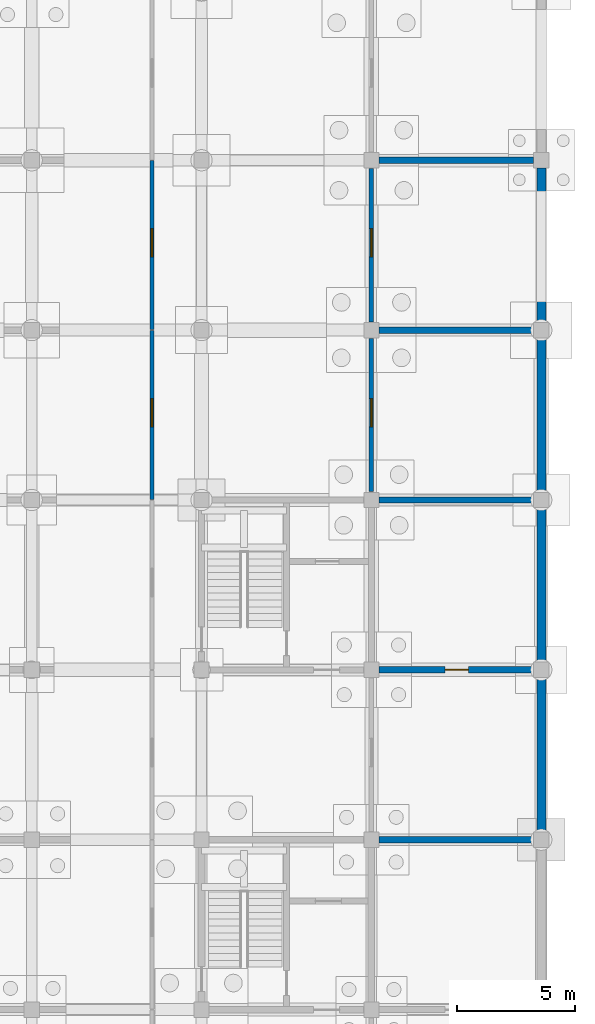
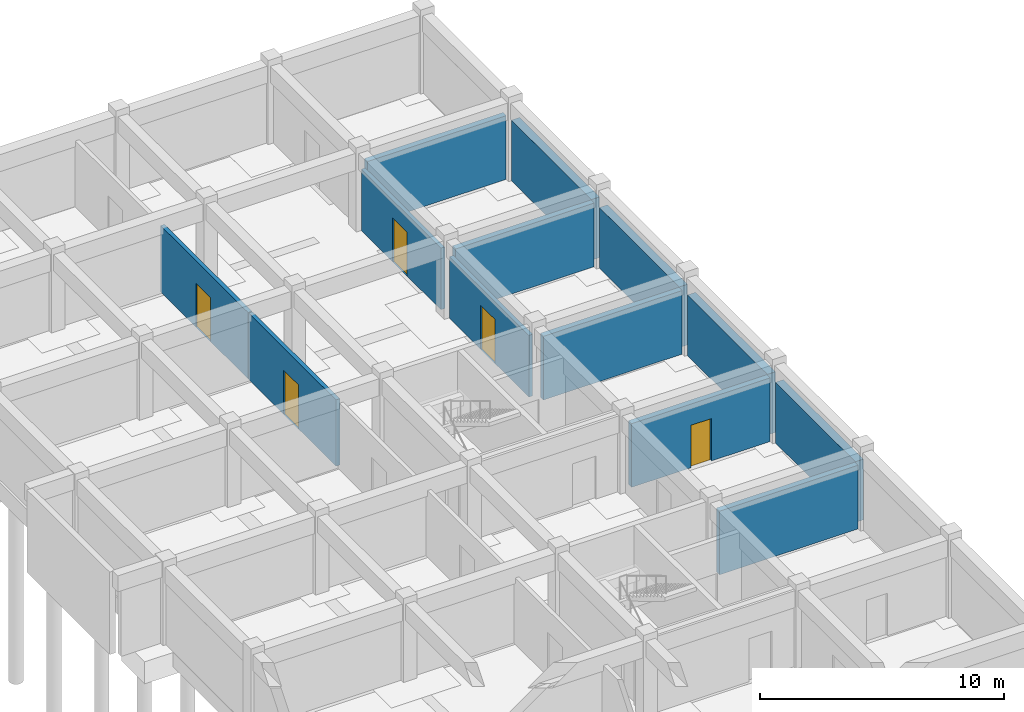
# One storey, part 30 of 38: 13 walls, 5 doors, 5 openings.
"""IFC4 building model written with IfcOpenShell, lengths in metres."""

from ifc_helpers import new_model, si_unit, direction, frame, frame_2d, origin, place, context, subcontext, project, spatial, rectangle, extrude, material, layer, layer_set, type_object, element, fill, save


model = new_model("IFC4")

# Units and contexts
model_context = context("Model", 3, precision=1e-05, world=origin(), true_north=direction((0.0, 1.0)))
body_context = subcontext(model_context, "Body", "Model", "MODEL_VIEW")
ifc_project = project(units=[si_unit("LENGTHUNIT", "METRE"), si_unit("AREAUNIT", "SQUARE_METRE"), si_unit("VOLUMEUNIT", "CUBIC_METRE"), si_unit("PLANEANGLEUNIT", "RADIAN"), si_unit("MASSUNIT", "GRAM", prefix="KILO"), si_unit("THERMODYNAMICTEMPERATUREUNIT", "KELVIN"), si_unit("POWERUNIT", "WATT")], contexts=[model_context])

# Site, building, storey
site_placement = place(None, origin())
site = spatial("IfcSite", under=ifc_project, at=site_placement, CompositionType="ELEMENT")
building_placement = place(site_placement, origin())
building = spatial("IfcBuilding", under=site, at=building_placement, Name="Tavuni Mirador Residences", CompositionType="ELEMENT")
storey_placement = place(building_placement, frame((0.0, 0.0, -4.199951171875)))
storey = spatial("IfcBuildingStorey", under=building, at=storey_placement, Name="B1", CompositionType="ELEMENT", Elevation=-4.199951171875)

# Wall, opening, door
ifc_material_1 = material(Name="Precast concrete C40/50", Category="concrete")
ifc_layer_1 = layer(ifc_material_1, 0.18505859375, Name="Precast concrete C40/50", Category="concrete")
ifc_layer_set_1 = layer_set([ifc_layer_1], Name="Precast concrete C40/50")
wall_type_1 = type_object("IfcWallType", Name="WT-CORR185", PredefinedType="PARTITIONING", material=ifc_layer_set_1)
wall_1_placement = place(storey_placement, frame((102.300048828125, 115.219970703125, 0.0), z_axis=(0.0, 0.0, 1.0), x_axis=(0.0, 1.0, 0.0)))
wall_1 = element("IfcWall", 1, at=wall_1_placement, inside=storey, type_object=wall_type_1, Name="CORW-BLK-D-B1-0-04", PredefinedType="PARTITIONING", context=body_context, shape_type="SweptSolid", body=[
    extrude(rectangle(XDim=7.159912109375, YDim=0.18505859375, at=frame_2d((3.580078125, 0.0))), origin(), (0.0, 0.0, 1.0), 3.31494140625),
])
opening_1_placement = place(wall_1_placement, frame((3.080078125, 0.0, 0.0)))
opening_1 = element("IfcOpeningElement", 2, at=opening_1_placement, cuts=wall_1, Name="Opening D-18", PredefinedType="OPENING", context=body_context, shape_type="SweptSolid", body=[
    extrude(rectangle(XDim=1.199951171875, YDim=2.199951171875, at=frame_2d((0.60009765625, 1.10009765625))), frame((0.0, 0.1025390625, 0.0), z_axis=(0.0, -1.0, 0.0), x_axis=(1.0, 0.0, 0.0)), (0.0, 0.0, 1.0), 0.205078125),
])
ifc_material_2 = material(Name="Structural steel S355", Category="steel")
door_type_1 = type_object("IfcDoorType", Name="DT-PLT1200", OperationType="NOTDEFINED", PredefinedType="DOOR", material=ifc_material_2)
door_1_placement = place(opening_1_placement, origin())
door_1 = element("IfcDoor", 3, at=door_1_placement, inside=storey, type_object=door_type_1, Name="DR-2801", OperationType="SINGLE_SWING_RIGHT", OverallHeight=2.199951171875, OverallWidth=1.199951171875, PredefinedType="DOOR", context=body_context, shape_type="SweptSolid", body=[
    extrude(rectangle(XDim=1.199951171875, YDim=2.199951171875, at=frame_2d((0.60009765625, 1.10009765625))), frame((0.0, 0.02490234375, 0.0), z_axis=(0.0, -1.0, 0.0), x_axis=(1.0, 0.0, 0.0)), (0.0, 0.0, 1.0), 0.050048828125),
])
fill(opening_1, door_1)

wall_2_placement = place(storey_placement, frame((102.300048828125, 122.419921875, 0.0), z_axis=(0.0, 0.0, 1.0), x_axis=(0.0, 1.0, 0.0)))
wall_2 = element("IfcWall", 4, at=wall_2_placement, inside=storey, type_object=wall_type_1, Name="CORW-BLK-D-B1-0-05", PredefinedType="PARTITIONING", context=body_context, shape_type="SweptSolid", body=[
    extrude(rectangle(XDim=7.16015625, YDim=0.18505859375, at=frame_2d((3.580078125, 0.0))), origin(), (0.0, 0.0, 1.0), 3.31494140625),
])
opening_2_placement = place(wall_2_placement, frame((3.080078125, 0.0, 0.0)))
opening_2 = element("IfcOpeningElement", 5, at=opening_2_placement, cuts=wall_2, Name="Opening D-18", PredefinedType="OPENING", context=body_context, shape_type="SweptSolid", body=[
    extrude(rectangle(XDim=1.199951171875, YDim=2.199951171875, at=frame_2d((0.60009765625, 1.10009765625))), frame((0.0, 0.1025390625, 0.0), z_axis=(0.0, -1.0, 0.0), x_axis=(1.0, 0.0, 0.0)), (0.0, 0.0, 1.0), 0.205078125),
])
door_2_placement = place(opening_2_placement, origin())
door_2 = element("IfcDoor", 6, at=door_2_placement, inside=storey, type_object=door_type_1, Name="DR-2802", OperationType="SINGLE_SWING_LEFT", OverallHeight=2.199951171875, OverallWidth=1.199951171875, PredefinedType="DOOR", context=body_context, shape_type="SweptSolid", body=[
    extrude(rectangle(XDim=1.199951171875, YDim=2.199951171875, at=frame_2d((0.60009765625, 1.10009765625))), frame((0.0, 0.02490234375, 0.0), z_axis=(0.0, -1.0, 0.0), x_axis=(1.0, 0.0, 0.0)), (0.0, 0.0, 1.0), 0.050048828125),
])
fill(opening_2, door_2)

wall_3_placement = place(storey_placement, frame((111.60009765625, 115.550048828125, 0.0), z_axis=(0.0, 0.0, 1.0), x_axis=(0.0, 1.0, 0.0)))
wall_3 = element("IfcWall", 7, at=wall_3_placement, inside=storey, type_object=wall_type_1, Name="CORW-BLK-D-B1-1-04", PredefinedType="PARTITIONING", context=body_context, shape_type="SweptSolid", body=[
    extrude(rectangle(XDim=6.5, YDim=0.18505859375, at=frame_2d((3.25, 0.0))), origin(), (0.0, 0.0, 1.0), 3.079833984375),
])
opening_3_placement = place(wall_3_placement, frame((2.75, 0.0, 0.0)))
opening_3 = element("IfcOpeningElement", 8, at=opening_3_placement, cuts=wall_3, Name="Opening D-18", PredefinedType="OPENING", context=body_context, shape_type="SweptSolid", body=[
    extrude(rectangle(XDim=1.199951171875, YDim=2.199951171875, at=frame_2d((0.60009765625, 1.10009765625))), frame((0.0, 0.1025390625, 0.0), z_axis=(0.0, -1.0, 0.0), x_axis=(1.0, 0.0, 0.0)), (0.0, 0.0, 1.0), 0.205078125),
])
door_3_placement = place(opening_3_placement, origin())
door_3 = element("IfcDoor", 9, at=door_3_placement, inside=storey, type_object=door_type_1, Name="DR-2806", OperationType="SINGLE_SWING_LEFT", OverallHeight=2.199951171875, OverallWidth=1.199951171875, PredefinedType="DOOR", context=body_context, shape_type="SweptSolid", body=[
    extrude(rectangle(XDim=1.199951171875, YDim=2.199951171875, at=frame_2d((0.60009765625, 1.10009765625))), frame((0.0, 0.02490234375, 0.0), z_axis=(0.0, -1.0, 0.0), x_axis=(1.0, 0.0, 0.0)), (0.0, 0.0, 1.0), 0.050048828125),
])
fill(opening_3, door_3)

wall_4_placement = place(storey_placement, frame((111.60009765625, 122.75, 0.0), z_axis=(0.0, 0.0, 1.0), x_axis=(0.0, 1.0, 0.0)))
wall_4 = element("IfcWall", 10, at=wall_4_placement, inside=storey, type_object=wall_type_1, Name="CORW-BLK-D-B1-1-05", PredefinedType="PARTITIONING", context=body_context, shape_type="SweptSolid", body=[
    extrude(rectangle(XDim=6.5, YDim=0.18505859375, at=frame_2d((3.25, 0.0))), origin(), (0.0, 0.0, 1.0), 3.079833984375),
])
opening_4_placement = place(wall_4_placement, frame((2.75, 0.0, 0.0)))
opening_4 = element("IfcOpeningElement", 11, at=opening_4_placement, cuts=wall_4, Name="Opening D-18", PredefinedType="OPENING", context=body_context, shape_type="SweptSolid", body=[
    extrude(rectangle(XDim=1.199951171875, YDim=2.199951171875, at=frame_2d((0.60009765625, 1.10009765625))), frame((0.0, 0.1025390625, 0.0), z_axis=(0.0, -1.0, 0.0), x_axis=(1.0, 0.0, 0.0)), (0.0, 0.0, 1.0), 0.205078125),
])
door_4_placement = place(opening_4_placement, origin())
door_4 = element("IfcDoor", 12, at=door_4_placement, inside=storey, type_object=door_type_1, Name="DR-2807", OperationType="SINGLE_SWING_RIGHT", OverallHeight=2.199951171875, OverallWidth=1.199951171875, PredefinedType="DOOR", context=body_context, shape_type="SweptSolid", body=[
    extrude(rectangle(XDim=1.199951171875, YDim=2.199951171875, at=frame_2d((0.60009765625, 1.10009765625))), frame((0.0, 0.02490234375, 0.0), z_axis=(0.0, -1.0, 0.0), x_axis=(1.0, 0.0, 0.0)), (0.0, 0.0, 1.0), 0.050048828125),
])
fill(opening_4, door_4)

# Walls
ifc_material_3 = material(Name="In-situ concrete C35/45", Category="concrete")
ifc_layer_2 = layer(ifc_material_3, 0.3798828125, Name="In-situ concrete C35/45", Category="concrete")
ifc_layer_set_2 = layer_set([ifc_layer_2], Name="In-situ concrete C35/45")
wall_type_2 = type_object("IfcWallType", Name="WT-RET380", PredefinedType="USERDEFINED", material=ifc_layer_set_2)
for number, where, z_axis, x_axis, name in (
    (13, (118.800048828125, 101.125, 0.0), (0.0, 0.0, 1.0), (0.0, 1.0, 0.0), "RET-BLK-D-E-02"),
    (14, (118.800048828125, 108.324951171875, 0.0), (0.0, 0.0, 1.0), (0.0, 1.0, 0.0), "RET-BLK-D-E-03"),
    (15, (118.800048828125, 115.52490234375, 0.0), (0.0, 0.0, 1.0), (0.0, 1.0, 0.0), "RET-BLK-D-E-04"),
):
    element("IfcWall", number, at=place(storey_placement, frame(where, z_axis=z_axis, x_axis=x_axis)), inside=storey, type_object=wall_type_2, Name=name, ObjectType="RETAINING WALL", PredefinedType="USERDEFINED", context=body_context, shape_type="SweptSolid", body=[
        extrude(rectangle(XDim=6.550048828125, YDim=0.3798828125, at=frame_2d((3.27490234375, 0.0))), origin(), (0.0, 0.0, 1.0), 3.030029296875),
    ])
wall_5_placement = place(storey_placement, frame((118.800048828125, 122.72509765625, 0.0), z_axis=(0.0, 0.0, 1.0), x_axis=(0.0, 1.0, 0.0)))
element("IfcWall", 16, at=wall_5_placement, inside=storey, type_object=wall_type_2, Name="RET-BLK-D-E-05", ObjectType="RETAINING WALL", PredefinedType="USERDEFINED", context=body_context, shape_type="SweptSolid", body=[
    extrude(rectangle(XDim=6.5498046875, YDim=0.3798828125, at=frame_2d((3.27490234375, 0.0))), origin(), (0.0, 0.0, 1.0), 3.030029296875),
])
ifc_layer_3 = layer(ifc_material_1, 0.264892578125, Name="Precast concrete C40/50", Category="concrete")
ifc_layer_set_3 = layer_set([ifc_layer_3], Name="Precast concrete C40/50")
wall_type_3 = type_object("IfcWallType", Name="WT-XW265", PredefinedType="SOLIDWALL", material=ifc_layer_set_3)
wall_6_placement = place(storey_placement, frame((111.925048828125, 100.800048828125, 0.0), z_axis=(0.0, 0.0, 1.0), x_axis=(1.0, 0.0, 0.0)))
element("IfcWall", 17, at=wall_6_placement, inside=storey, type_object=wall_type_3, Name="XW-BLK-D-B1-E-02", PredefinedType="SOLIDWALL", context=body_context, shape_type="SweptSolid", body=[
    extrude(rectangle(XDim=6.550048828125, YDim=0.264892578125, at=frame_2d((3.27490234375, 0.0))), origin(), (0.0, 0.0, 1.0), 3.179931640625),
])

# Wall, opening, door
wall_7_placement = place(storey_placement, frame((111.925048828125, 108.0, 0.0), z_axis=(0.0, 0.0, 1.0), x_axis=(1.0, 0.0, 0.0)))
wall_7 = element("IfcWall", 18, at=wall_7_placement, inside=storey, type_object=wall_type_3, Name="XW-BLK-D-B1-E-03", PredefinedType="SOLIDWALL", context=body_context, shape_type="SweptSolid", body=[
    extrude(rectangle(XDim=6.550048828125, YDim=0.264892578125, at=frame_2d((3.27490234375, 0.0))), origin(), (0.0, 0.0, 1.0), 3.179931640625),
])
opening_5_placement = place(wall_7_placement, frame((2.800048828125, 0.0, 0.0)))
opening_5 = element("IfcOpeningElement", 19, at=opening_5_placement, cuts=wall_7, Name="Opening D-04", PredefinedType="OPENING", context=body_context, shape_type="SweptSolid", body=[
    extrude(rectangle(XDim=0.97998046875, YDim=2.1201171875, at=frame_2d((0.489990234375, 1.06005859375))), frame((0.0, 0.142578125, 0.0), z_axis=(0.0, -1.0, 0.0), x_axis=(1.0, 0.0, 0.0)), (0.0, 0.0, 1.0), 0.284912109375),
])
ifc_material_4 = material(Name="Solid core iroko timber", Category="wood")
door_type_2 = type_object("IfcDoorType", Name="DT-FD60-980", OperationType="NOTDEFINED", PredefinedType="DOOR", material=ifc_material_4)
door_5_placement = place(opening_5_placement, origin())
door_5 = element("IfcDoor", 20, at=door_5_placement, inside=storey, type_object=door_type_2, Name="DR-4757", OperationType="SINGLE_SWING_RIGHT", OverallHeight=2.1201171875, OverallWidth=0.97998046875, PredefinedType="DOOR", context=body_context, shape_type="SweptSolid", body=[
    extrude(rectangle(XDim=0.97998046875, YDim=2.1201171875, at=frame_2d((0.489990234375, 1.06005859375))), frame((0.0, 0.02490234375, 0.0), z_axis=(0.0, -1.0, 0.0), x_axis=(1.0, 0.0, 0.0)), (0.0, 0.0, 1.0), 0.050048828125),
])
fill(opening_5, door_5)

# Walls
for number, where, z_axis, x_axis, name in (
    (21, (111.925048828125, 115.199951171875, 0.0), (0.0, 0.0, 1.0), (1.0, 0.0, 0.0), "XW-BLK-D-B1-E-04"),
    (22, (111.925048828125, 122.39990234375, 0.0), (0.0, 0.0, 1.0), (1.0, 0.0, 0.0), "XW-BLK-D-B1-E-05"),
    (23, (111.925048828125, 129.60009765625, 0.0), (0.0, 0.0, 1.0), (1.0, 0.0, 0.0), "XW-BLK-D-B1-E-06"),
):
    element("IfcWall", number, at=place(storey_placement, frame(where, z_axis=z_axis, x_axis=x_axis)), inside=storey, type_object=wall_type_3, Name=name, PredefinedType="SOLIDWALL", context=body_context, shape_type="SweptSolid", body=[
        extrude(rectangle(XDim=6.550048828125, YDim=0.264892578125, at=frame_2d((3.27490234375, 0.0))), origin(), (0.0, 0.0, 1.0), 3.179931640625),
    ])

save(model, "model.ifc")
